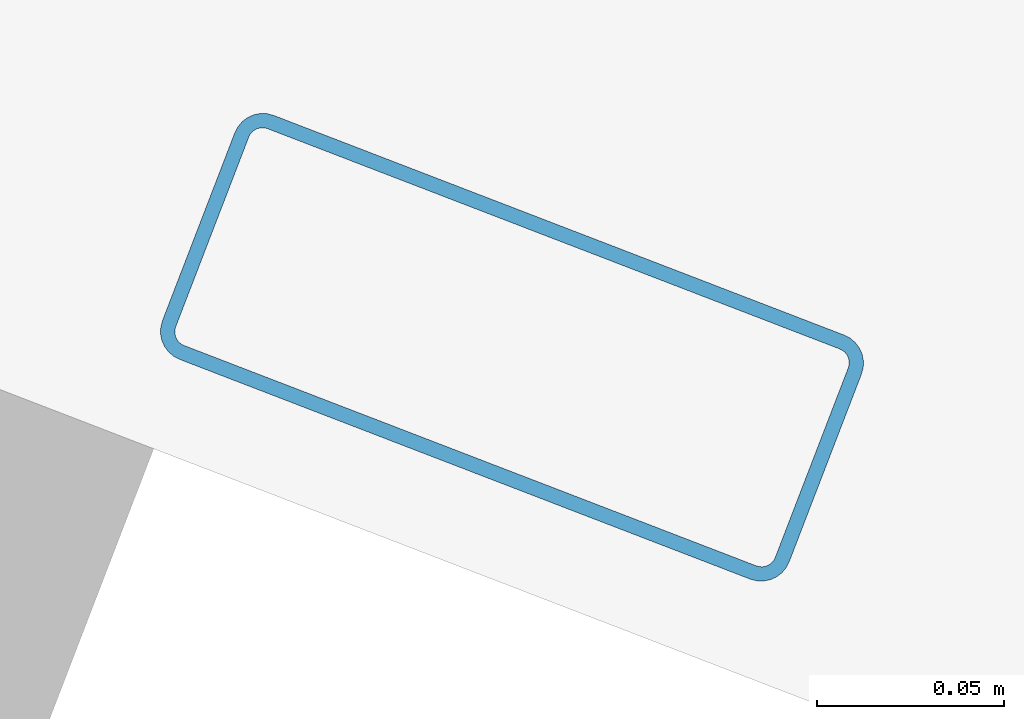
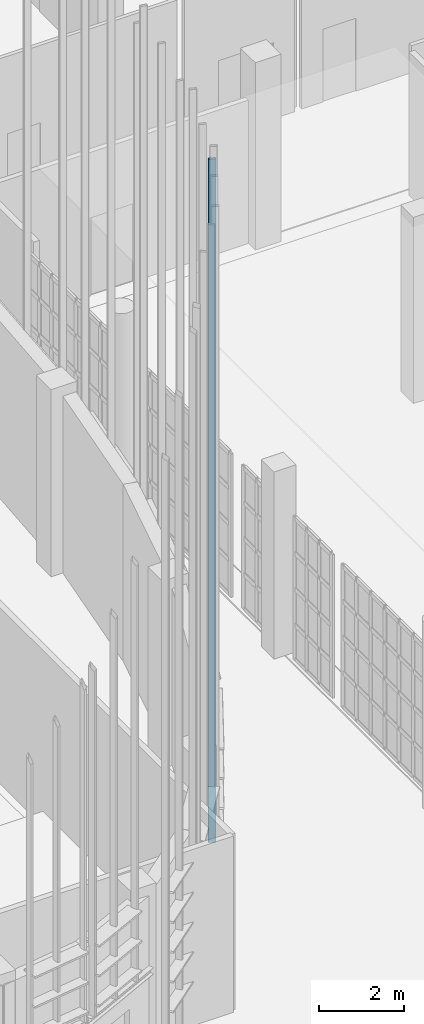
# One storey, part 207 of 372: 1 member.
"""IFC4 building model written with IfcOpenShell, lengths in metres."""

from ifc_helpers import new_model, si_unit, direction, frame, origin, origin_2d, place, context, subcontext, project, spatial, hollow_rectangle, extrude, material, material_profile, profile_set, type_object, element, save


model = new_model("IFC4")

# Units and contexts
model_context = context("Model", 3, precision=1e-05, world=origin(), true_north=direction((0.0, 1.0)))
body_context = subcontext(model_context, "Body", "Model", "MODEL_VIEW")
ifc_project = project(units=[si_unit("LENGTHUNIT", "METRE"), si_unit("AREAUNIT", "SQUARE_METRE"), si_unit("VOLUMEUNIT", "CUBIC_METRE"), si_unit("PLANEANGLEUNIT", "RADIAN"), si_unit("MASSUNIT", "GRAM", prefix="KILO")], contexts=[model_context])

# Site, building, storey
site_placement = place(None, origin())
site = spatial("IfcSite", under=ifc_project, at=site_placement, CompositionType="ELEMENT")
building_placement = place(site_placement, origin())
building = spatial("IfcBuilding", under=site, at=building_placement, Name="Kaelora Sail Theatre", CompositionType="ELEMENT")
storey_placement = place(building_placement, origin())
storey = spatial("IfcBuildingStorey", under=building, at=storey_placement, Name="L00", CompositionType="ELEMENT", Elevation=0.0)

# Member
ifc_material = material(Name="Anodised aluminium 6063-T6", Category="aluminium")
ifc_material_profile = material_profile(ifc_material, hollow_rectangle(XDim=0.070068359375, YDim=0.179931640625, WallThickness=0.00390625, InnerFilletRadius=0.00390625, OuterFilletRadius=0.008056640625, at=origin_2d()), Name="ALU-MULL 70x180x4")
ifc_profile_set = profile_set([ifc_material_profile], Name="Anodised aluminium 6063-T6")
member_type = type_object("IfcMemberType", Name="ARC-MEM-PST-160", PredefinedType="POST", material=ifc_profile_set)
member_placement = place(storey_placement, frame((101.468994140625, 40.060546875, 0.0), z_axis=(0.0, 0.0, 1.0), x_axis=(-0.359345396006, -0.933204632634, 0.0)))
element("IfcMember", 1, at=member_placement, inside=storey, type_object=member_type, Name="Studio Theatre Sail Drum solar louvre vertical support post C5-3", PredefinedType="POST", context=body_context, shape_type="SweptSolid", body=[
    extrude(hollow_rectangle(XDim=0.070068359375, YDim=0.179931640625, WallThickness=0.00390625, InnerFilletRadius=0.00390625, OuterFilletRadius=0.008056640625, at=origin_2d()), origin(), (0.0, 0.0, 1.0), 19.72119140625),
])

save(model, "model.ifc")
